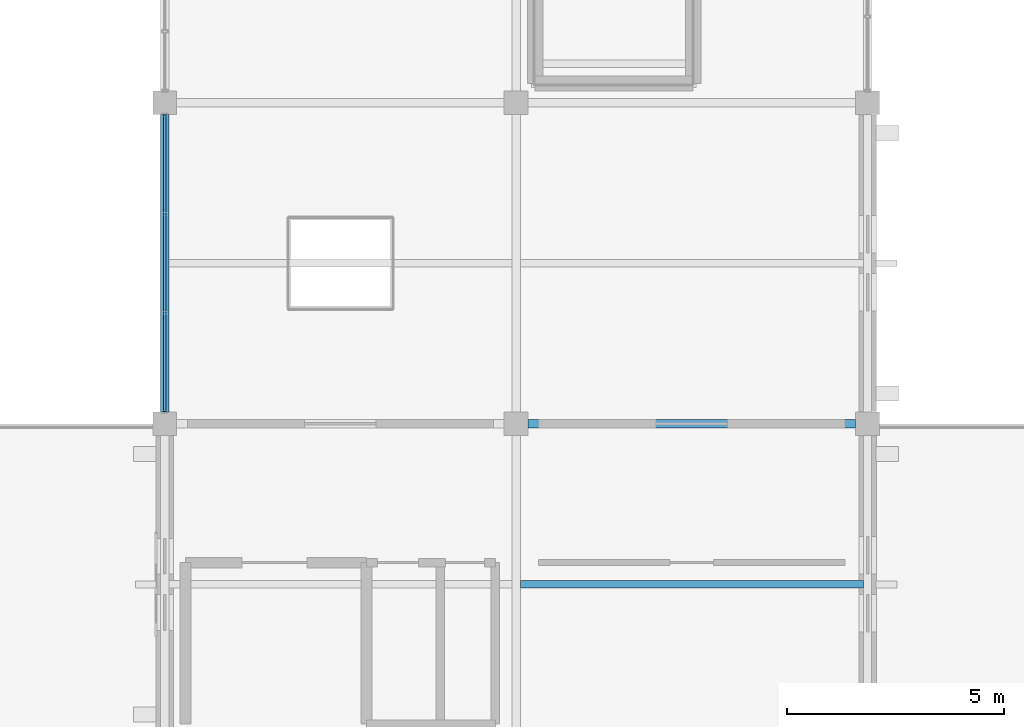
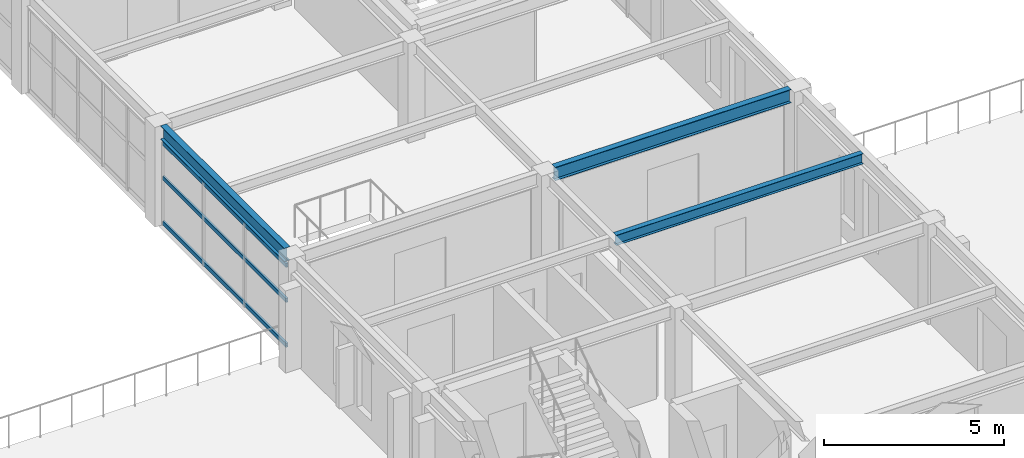
# One storey, part 32 of 121: 3 beams, 3 members, 1 element without a shape of its own.
"""IFC4 building model written with IfcOpenShell, lengths in metres."""

from ifc_helpers import new_model, si_unit, direction, frame, origin, origin_2d, place, context, subcontext, project, spatial, hollow_rectangle, i_section, extrude, material, material_profile, profile_set, type_object, element, aggregate, save


model = new_model("IFC4")

# Units and contexts
model_context = context("Model", 3, precision=1e-05, world=origin(), true_north=direction((0.0, 1.0)))
body_context = subcontext(model_context, "Body", "Model", "MODEL_VIEW")
ifc_project = project(units=[si_unit("LENGTHUNIT", "METRE"), si_unit("AREAUNIT", "SQUARE_METRE"), si_unit("VOLUMEUNIT", "CUBIC_METRE"), si_unit("PLANEANGLEUNIT", "RADIAN"), si_unit("MASSUNIT", "GRAM", prefix="KILO")], contexts=[model_context])

# Site, building, storey
site_placement = place(None, origin())
site = spatial("IfcSite", under=ifc_project, at=site_placement, CompositionType="ELEMENT")
building_placement = place(site_placement, origin())
building = spatial("IfcBuilding", under=site, at=building_placement, Name="Cimatlan Art Gallery", CompositionType="ELEMENT")
storey_placement = place(building_placement, frame((0.0, 0.0, 10.199951171875)))
storey = spatial("IfcBuildingStorey", under=building, at=storey_placement, Name="L02", CompositionType="ELEMENT", Elevation=10.199951171875)

# Beams
ifc_material_1 = material(Name="Steel ASTM A992 Grade 50", Category="steel")
ifc_material_profile_1 = material_profile(ifc_material_1, i_section(OverallWidth=0.1708984375, OverallDepth=0.35107421875, WebThickness=0.0068359375, FlangeThickness=0.009765625, at=origin_2d()), Name="W14X30")
ifc_profile_set_1 = profile_set([ifc_material_profile_1], Name="Steel ASTM A992 Grade 50")
beam_type_1 = type_object("IfcBeamType", Name="BM-STL-W14X30", PredefinedType="JOIST", material=ifc_profile_set_1)
beam_1_placement = place(storey_placement, frame((123.595458984375, 35.0, 3.194580078125), z_axis=(1.0, 0.0, 0.0), x_axis=(0.0, 1.0, 0.0)))
element("IfcBeam", 1, at=beam_1_placement, inside=storey, type_object=beam_type_1, Name="JST-L02-15-04", PredefinedType="JOIST", context=body_context, shape_type="SweptSolid", body=[
    extrude(i_section(OverallWidth=0.1708984375, OverallDepth=0.35107421875, WebThickness=0.0068359375, FlangeThickness=0.009765625, at=origin_2d()), origin(), (0.0, 0.0, 1.0), 7.908935546875),
])
ifc_material_profile_2 = material_profile(ifc_material_1, i_section(OverallWidth=0.19091796875, OverallDepth=0.45703125, WebThickness=0.009033203125, FlangeThickness=0.014404296875, at=origin_2d()), Name="W18X50")
ifc_profile_set_2 = profile_set([ifc_material_profile_2], Name="Steel ASTM A992 Grade 50")
beam_type_2 = type_object("IfcBeamType", Name="BM-STL-W18X50", PredefinedType="BEAM", material=ifc_profile_set_2)
beam_2_placement = place(storey_placement, frame((115.39990234375, 38.97509765625, 3.1416015625), z_axis=(0.0, 1.0, 0.0), x_axis=(-1.0, 0.0, 0.0)))
element("IfcBeam", 2, at=beam_2_placement, inside=storey, type_object=beam_type_2, Name="BM-Y-L02-14-05", PredefinedType="BEAM", context=body_context, shape_type="SweptSolid", body=[
    extrude(i_section(OverallWidth=0.19091796875, OverallDepth=0.45703125, WebThickness=0.009033203125, FlangeThickness=0.014404296875, at=origin_2d()), origin(), (0.0, 0.0, 1.0), 6.849853515625),
])
beam_3_placement = place(storey_placement, frame((123.77490234375, 38.699951171875, 3.1416015625), z_axis=(1.0, 0.0, 0.0), x_axis=(0.0, 1.0, 0.0)))
element("IfcBeam", 3, at=beam_3_placement, inside=storey, type_object=beam_type_2, Name="BM-X-L02-15-05", PredefinedType="BEAM", context=body_context, shape_type="SweptSolid", body=[
    extrude(i_section(OverallWidth=0.19091796875, OverallDepth=0.45703125, WebThickness=0.009033203125, FlangeThickness=0.014404296875, at=origin_2d()), origin(), (0.0, 0.0, 1.0), 7.550048828125),
])

# Curtain wall, members
ifc_material_2 = material(Name="Anodised bronze unitised curtain wall")
curtain_wall_type = type_object("IfcCurtainWallType", Name="CW-V-06842X02823-B3", PredefinedType="NOTDEFINED", material=ifc_material_2)
curtain_wall_placement = place(storey_placement, origin())
curtain_wall = element("IfcCurtainWall", 4, at=curtain_wall_placement, inside=storey, type_object=curtain_wall_type, Name="CW-L02-14-05-W", PredefinedType="NOTDEFINED")
ifc_material_3 = material(Name="Anodised bronze aluminium 6063-T6", Category="aluminium")
ifc_material_profile_3 = material_profile(ifc_material_3, hollow_rectangle(XDim=0.06494140625, YDim=0.139892578125, WallThickness=0.00390625, at=origin_2d()), Name="ALU65X140X4")
ifc_profile_set_3 = profile_set([ifc_material_profile_3], Name="Anodised bronze aluminium 6063-T6")
member_type = type_object("IfcMemberType", Name="CW-TRN-140", PredefinedType="USERDEFINED", material=ifc_profile_set_3)
member_1_placement = place(storey_placement, frame((115.39990234375, 38.97900390625, 0.06005859375), z_axis=(0.0, 1.0, 0.0), x_axis=(-1.0, 0.0, 0.0)))
member_1 = element("IfcMember", 5, at=member_1_placement, type_object=member_type, Name="CW-L02-14-05-W-T1", ObjectType="TRANSOM", PredefinedType="USERDEFINED", context=body_context, shape_type="SweptSolid", body=[
    extrude(hollow_rectangle(XDim=0.06494140625, YDim=0.139892578125, WallThickness=0.00390625, at=origin_2d()), origin(), (0.0, 0.0, 1.0), 6.842041015625),
])
member_2_placement = place(storey_placement, frame((115.39990234375, 38.97900390625, 1.5810546875), z_axis=(0.0, 1.0, 0.0), x_axis=(-1.0, 0.0, 0.0)))
member_2 = element("IfcMember", 6, at=member_2_placement, type_object=member_type, Name="CW-L02-14-05-W-T2", ObjectType="TRANSOM", PredefinedType="USERDEFINED", context=body_context, shape_type="SweptSolid", body=[
    extrude(hollow_rectangle(XDim=0.06494140625, YDim=0.139892578125, WallThickness=0.00390625, at=origin_2d()), origin(), (0.0, 0.0, 1.0), 6.842041015625),
])
member_3_placement = place(storey_placement, frame((115.39990234375, 38.97900390625, 2.762939453125), z_axis=(0.0, 1.0, 0.0), x_axis=(-1.0, 0.0, 0.0)))
member_3 = element("IfcMember", 7, at=member_3_placement, type_object=member_type, Name="CW-L02-14-05-W-T3", ObjectType="TRANSOM", PredefinedType="USERDEFINED", context=body_context, shape_type="SweptSolid", body=[
    extrude(hollow_rectangle(XDim=0.06494140625, YDim=0.139892578125, WallThickness=0.00390625, at=origin_2d()), origin(), (0.0, 0.0, 1.0), 6.842041015625),
])
aggregate(curtain_wall, [member_1, member_2, member_3])

save(model, "model.ifc")
